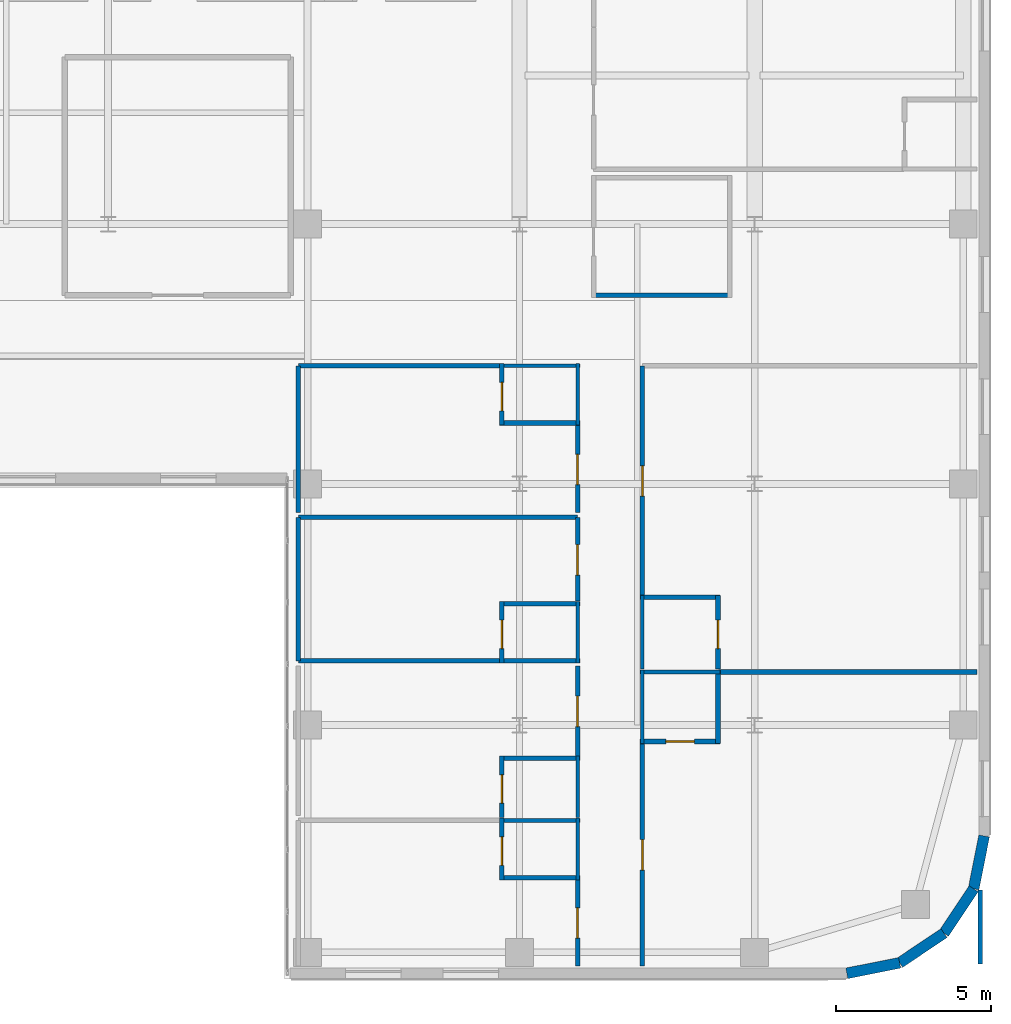
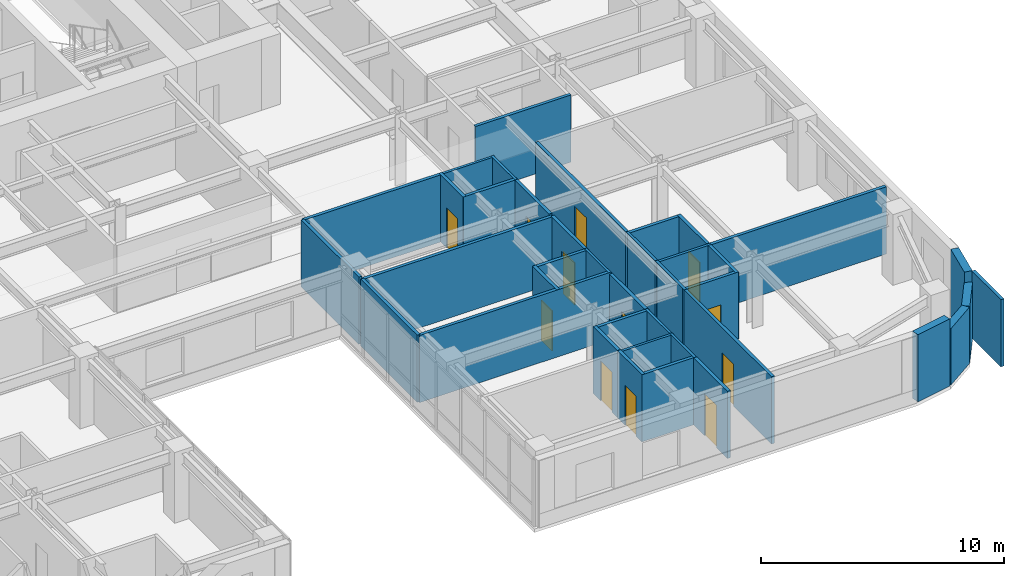
# One storey, part 16 of 24: 39 walls, 12 doors, 12 openings.
"""IFC4 building model written with IfcOpenShell, lengths in metres."""

from ifc_helpers import new_model, si_unit, direction, frame, frame_2d, origin, place, context, subcontext, project, spatial, rectangle, extrude, source, transform, mapped, material, layer, layer_set, type_object, type_shapes, element, fill, save


model = new_model("IFC4")

# Units and contexts
model_context = context("Model", 3, precision=1e-05, world=origin(), true_north=direction((0.0, 1.0)))
body_context = subcontext(model_context, "Body", "Model", "MODEL_VIEW")
ifc_project = project(units=[si_unit("LENGTHUNIT", "METRE"), si_unit("AREAUNIT", "SQUARE_METRE"), si_unit("VOLUMEUNIT", "CUBIC_METRE"), si_unit("PLANEANGLEUNIT", "RADIAN"), si_unit("MASSUNIT", "GRAM", prefix="KILO")], contexts=[model_context])

# Site, building, storey
site_placement = place(None, origin())
site = spatial("IfcSite", under=ifc_project, at=site_placement, CompositionType="ELEMENT")
building_placement = place(site_placement, origin())
building = spatial("IfcBuilding", under=site, at=building_placement, Name="Tolvann Quenvar Hotel", CompositionType="ELEMENT")
storey_placement = place(building_placement, frame((0.0, 0.0, 81.699951171875)))
storey = spatial("IfcBuildingStorey", under=building, at=storey_placement, Name="L20", CompositionType="ELEMENT", Elevation=81.699951171875)

# Walls
ifc_material_1 = material(Name="Kiln-fired red and buff architectural clay brickwork and terracotta masonry", Category="masonry")
ifc_layer_1 = layer(ifc_material_1, 0.35009765625)
ifc_layer_set_1 = layer_set([ifc_layer_1], Name="Kiln-fired red and buff architectural clay brickwork and terracotta masonry")
wall_type_1 = type_object("IfcWallType", Name="WALL_EXT_BRICK_350", PredefinedType="SOLIDWALL", material=ifc_layer_set_1)
wall_1_placement = place(storey_placement, frame((52.3828125, 0.175048828125, 0.0), z_axis=(0.0, 0.0, 1.0), x_axis=(0.980800971659, 0.195011420161, 0.0)))
element("IfcWall", 1, at=wall_1_placement, inside=storey, type_object=wall_type_1, Name="Exterior Chicago Brick Wall L20-E09", PredefinedType="SOLIDWALL", context=body_context, shape_type="SweptSolid", body=[
    extrude(rectangle(XDim=1.74267578125, YDim=0.35009765625, at=frame_2d((0.871337890625, 0.0))), origin(), (0.0, 0.0, 1.0), 3.3701171875),
])
for number, where, z_axis, x_axis, name in (
    (2, (54.092041015625, 0.514892578125, 0.0), (0.0, 0.0, 1.0), (0.831483840845, 0.55554893791, 0.0), "Exterior Chicago Brick Wall L20-E10"),
    (3, (55.526611328125, 1.473388671875, 0.0), (0.0, 0.0, 1.0), (0.55554893791, 0.831483840845, 0.0), "Exterior Chicago Brick Wall L20-E11"),
):
    element("IfcWall", number, at=place(storey_placement, frame(where, z_axis=z_axis, x_axis=x_axis)), inside=storey, type_object=wall_type_1, Name=name, PredefinedType="SOLIDWALL", context=body_context, shape_type="SweptSolid", body=[
        extrude(rectangle(XDim=1.725341796875, YDim=0.35009765625, at=frame_2d((0.86279296875, 0.0))), origin(), (0.0, 0.0, 1.0), 2.83203125),
    ])
wall_2_placement = place(storey_placement, frame((56.485107421875, 2.907958984375, 0.0), z_axis=(0.0, 0.0, 1.0), x_axis=(0.195011420161, 0.980800971659, 0.0)))
element("IfcWall", 4, at=wall_2_placement, inside=storey, type_object=wall_type_1, Name="Exterior Chicago Brick Wall L20-E12", PredefinedType="SOLIDWALL", context=body_context, shape_type="SweptSolid", body=[
    extrude(rectangle(XDim=1.74267578125, YDim=0.35009765625, at=frame_2d((0.871337890625, 0.0))), origin(), (0.0, 0.0, 1.0), 3.3701171875),
])
ifc_material_2 = material(Name="Moisture-resistant acoustic plumbing wall assembly")
ifc_layer_2 = layer(ifc_material_2, 0.1201171875)
ifc_layer_set_2 = layer_set([ifc_layer_2], Name="Moisture-resistant acoustic plumbing wall assembly")
wall_type_2 = type_object("IfcWallType", Name="WALL_PART_BATH_120", PredefinedType="PLUMBINGWALL", material=ifc_layer_set_2)
wall_3_placement = place(storey_placement, frame((41.159912109375, 5.1201171875, 0.0), z_axis=(0.0, 0.0, 1.0), x_axis=(1.0, 0.0, 0.0)))
element("IfcWall", 5, at=wall_3_placement, inside=storey, type_object=wall_type_2, Name="Non-Rated Plumbing Partition PT-SPC-L20-ENS-EI01-N", PredefinedType="PLUMBINGWALL", context=body_context, shape_type="SweptSolid", body=[
    extrude(rectangle(XDim=2.590087890625, YDim=0.1201171875, at=frame_2d((1.294921875, 0.0))), origin(), (0.0, 0.0, 1.0), 3.3701171875),
])
for number, where, z_axis, x_axis, name in (
    (6, (43.679931640625, 3.199951171875, 0.0), (0.0, 0.0, 1.0), (0.0, 1.0, 0.0), "Non-Rated Plumbing Partition PT-SPC-L20-ENS-EI01-E"),
    (7, (43.679931640625, 5.2099609375, 0.0), (0.0, 0.0, 1.0), (0.0, 1.0, 0.0), "Non-Rated Plumbing Partition PT-SPC-L20-ENS-EI02-E"),
    (8, (43.679931640625, 10.2099609375, 0.0), (0.0, 0.0, 1.0), (0.0, 1.0, 0.0), "Non-Rated Plumbing Partition PT-SPC-L20-ENS-EI03-E"),
):
    element("IfcWall", number, at=place(storey_placement, frame(where, z_axis=z_axis, x_axis=x_axis)), inside=storey, type_object=wall_type_2, Name=name, PredefinedType="PLUMBINGWALL", context=body_context, shape_type="SweptSolid", body=[
        extrude(rectangle(XDim=1.989990234375, YDim=0.1201171875, at=frame_2d((0.9951171875, 0.0))), origin(), (0.0, 0.0, 1.0), 3.3701171875),
    ])
wall_4_placement = place(storey_placement, frame((41.159912109375, 19.820068359375, 0.0), z_axis=(0.0, 0.0, 1.0), x_axis=(1.0, 0.0, 0.0)))
element("IfcWall", 9, at=wall_4_placement, inside=storey, type_object=wall_type_2, Name="Non-Rated Plumbing Partition PT-SPC-L20-ENS-EI04-N", PredefinedType="PLUMBINGWALL", context=body_context, shape_type="SweptSolid", body=[
    extrude(rectangle(XDim=2.590087890625, YDim=0.1201171875, at=frame_2d((1.294921875, 0.0))), origin(), (0.0, 0.0, 1.0), 3.3701171875),
])
wall_5_placement = place(storey_placement, frame((43.679931640625, 17.89990234375, 0.0), z_axis=(0.0, 0.0, 1.0), x_axis=(0.0, 1.0, 0.0)))
element("IfcWall", 10, at=wall_5_placement, inside=storey, type_object=wall_type_2, Name="Non-Rated Plumbing Partition PT-SPC-L20-ENS-EI04-E", PredefinedType="PLUMBINGWALL", context=body_context, shape_type="SweptSolid", body=[
    extrude(rectangle(XDim=1.989990234375, YDim=0.1201171875, at=frame_2d((0.9951171875, 0.0))), origin(), (0.0, 0.0, 1.0), 3.3701171875),
])
wall_6_placement = place(storey_placement, frame((45.699951171875, 9.919921875, 0.0), z_axis=(0.0, 0.0, 1.0), x_axis=(1.0, 0.0, 0.0)))
element("IfcWall", 11, at=wall_6_placement, inside=storey, type_object=wall_type_2, Name="Non-Rated Plumbing Partition PT-SPC-L20-ENS-EO01-N", PredefinedType="PLUMBINGWALL", context=body_context, shape_type="SweptSolid", body=[
    extrude(rectangle(XDim=2.590087890625, YDim=0.1201171875, at=frame_2d((1.294921875, 0.0))), origin(), (0.0, 0.0, 1.0), 3.3701171875),
])
for number, where, z_axis, x_axis, name in (
    (12, (45.77001953125, 7.60009765625, 0.0), (0.0, 0.0, 1.0), (0.0, 1.0, 0.0), "Non-Rated Plumbing Partition PT-SPC-L20-ENS-EO01-W"),
    (13, (45.77001953125, 10.010009765625, 0.0), (0.0, 0.0, 1.0), (0.0, 1.0, 0.0), "Non-Rated Plumbing Partition PT-SPC-L20-ENS-EO02-W"),
):
    element("IfcWall", number, at=place(storey_placement, frame(where, z_axis=z_axis, x_axis=x_axis)), inside=storey, type_object=wall_type_2, Name=name, PredefinedType="PLUMBINGWALL", context=body_context, shape_type="SweptSolid", body=[
        extrude(rectangle(XDim=2.389892578125, YDim=0.1201171875, at=frame_2d((1.19482421875, 0.0))), origin(), (0.0, 0.0, 1.0), 3.3701171875),
    ])

# Wall, opening, door
ifc_material_3 = material(Name="Acoustic twin-stud fire-rated gypsum plasterboard partition")
ifc_layer_3 = layer(ifc_material_3, 0.14990234375)
ifc_layer_set_3 = layer_set([ifc_layer_3], Name="Acoustic twin-stud fire-rated gypsum plasterboard partition")
wall_type_3 = type_object("IfcWallType", Name="WALL_PART_SUITE_150", PredefinedType="PARTITIONING", material=ifc_layer_set_3)
wall_7_placement = place(storey_placement, frame((41.22998046875, 3.199951171875, 0.0), z_axis=(0.0, 0.0, 1.0), x_axis=(0.0, 1.0, 0.0)))
wall_7 = element("IfcWall", 14, at=wall_7_placement, inside=storey, type_object=wall_type_3, Name="Interior Partition PT-SPC-L20-ENS-EI01-ENT", PredefinedType="PARTITIONING", context=body_context, shape_type="SweptSolid", body=[
    extrude(rectangle(XDim=1.989990234375, YDim=0.14990234375, at=frame_2d((0.9951171875, 0.0))), origin(), (0.0, 0.0, 1.0), 3.3701171875),
])
opening_1_placement = place(wall_7_placement, frame((0.465087890625, 0.0, 0.0)))
opening_1 = element("IfcOpeningElement", 15, at=opening_1_placement, cuts=wall_7, Name="Opening WD-01", PredefinedType="OPENING", context=body_context, shape_type="SweptSolid", body=[
    extrude(rectangle(XDim=0.919921875, YDim=2.010009765625, at=frame_2d((0.4599609375, 1.0048828125))), frame((0.0, 0.0849609375, 0.0), z_axis=(0.0, -1.0, 0.0), x_axis=(1.0, 0.0, 0.0)), (0.0, 0.0, 1.0), 0.169921875),
])
ifc_material_4 = material(Name="Solid-core American oak acoustic fire door leaf in steel frame", Category="steel")
door_type_1 = type_object("IfcDoorType", Name="DOOR_WC_920", OperationType="NOTDEFINED", PredefinedType="DOOR", material=ifc_material_4)
shared_shape_1 = source(origin(), body_context, "Body", "SweptSolid", [
    extrude(rectangle(XDim=0.919921875, YDim=2.010009765625, at=frame_2d((0.4599609375, 1.0048828125))), frame((0.0, 0.02490234375, 0.0), z_axis=(0.0, -1.0, 0.0), x_axis=(1.0, 0.0, 0.0)), (0.0, 0.0, 1.0), 0.050048828125),
])
type_shapes(door_type_1, [shared_shape_1])
door_1_placement = place(opening_1_placement, origin())
door_1 = element("IfcDoor", 16, at=door_1_placement, inside=storey, type_object=door_type_1, Name="Interior Door DOOR-SPC-L20-ENS-EI01", OperationType="SINGLE_SWING_LEFT", OverallHeight=2.010009765625, OverallWidth=0.919921875, PredefinedType="DOOR", context=body_context, shape_type="MappedRepresentation", body=[
    mapped(shared_shape_1, transform((0.0, 0.0, 0.0), x_axis=(1.0, 0.0, 0.0), y_axis=(0.0, 1.0, 0.0), z_axis=(0.0, 0.0, 1.0), scale=1.0)),
])
fill(opening_1, door_1)

# Wall
wall_8_placement = place(storey_placement, frame((41.159912109375, 3.27001953125, 0.0), z_axis=(0.0, 0.0, 1.0), x_axis=(1.0, 0.0, 0.0)))
element("IfcWall", 17, at=wall_8_placement, inside=storey, type_object=wall_type_3, Name="Interior Partition PT-SPC-L20-ENS-EI01-S", PredefinedType="PARTITIONING", context=body_context, shape_type="SweptSolid", body=[
    extrude(rectangle(XDim=2.590087890625, YDim=0.14990234375, at=frame_2d((1.294921875, 0.0))), origin(), (0.0, 0.0, 1.0), 3.3701171875),
])

# Wall, opening, door
wall_9_placement = place(storey_placement, frame((41.22998046875, 5.2099609375, 0.0), z_axis=(0.0, 0.0, 1.0), x_axis=(0.0, 1.0, 0.0)))
wall_9 = element("IfcWall", 18, at=wall_9_placement, inside=storey, type_object=wall_type_3, Name="Interior Partition PT-SPC-L20-ENS-EI02-ENT", PredefinedType="PARTITIONING", context=body_context, shape_type="SweptSolid", body=[
    extrude(rectangle(XDim=1.989990234375, YDim=0.14990234375, at=frame_2d((0.9951171875, 0.0))), origin(), (0.0, 0.0, 1.0), 3.3701171875),
])
opening_2_placement = place(wall_9_placement, frame((0.465087890625, 0.0, 0.0)))
opening_2 = element("IfcOpeningElement", 19, at=opening_2_placement, cuts=wall_9, Name="Opening WD-01", PredefinedType="OPENING", context=body_context, shape_type="SweptSolid", body=[
    extrude(rectangle(XDim=0.919921875, YDim=2.010009765625, at=frame_2d((0.4599609375, 1.0048828125))), frame((0.0, 0.0849609375, 0.0), z_axis=(0.0, -1.0, 0.0), x_axis=(1.0, 0.0, 0.0)), (0.0, 0.0, 1.0), 0.169921875),
])
door_2_placement = place(opening_2_placement, origin())
door_2 = element("IfcDoor", 20, at=door_2_placement, inside=storey, type_object=door_type_1, Name="Interior Door DOOR-SPC-L20-ENS-EI02", OperationType="SINGLE_SWING_RIGHT", OverallHeight=2.010009765625, OverallWidth=0.919921875, PredefinedType="DOOR", context=body_context, shape_type="MappedRepresentation", body=[
    mapped(shared_shape_1, transform((0.0, 0.0, 0.0), x_axis=(1.0, 0.0, 0.0), y_axis=(0.0, 1.0, 0.0), z_axis=(0.0, 0.0, 1.0), scale=1.0)),
])
fill(opening_2, door_2)

# Wall
wall_10_placement = place(storey_placement, frame((41.159912109375, 7.1298828125, 0.0), z_axis=(0.0, 0.0, 1.0), x_axis=(1.0, 0.0, 0.0)))
element("IfcWall", 21, at=wall_10_placement, inside=storey, type_object=wall_type_3, Name="Interior Partition PT-SPC-L20-ENS-EI02-N", PredefinedType="PARTITIONING", context=body_context, shape_type="SweptSolid", body=[
    extrude(rectangle(XDim=2.590087890625, YDim=0.14990234375, at=frame_2d((1.294921875, 0.0))), origin(), (0.0, 0.0, 1.0), 3.3701171875),
])

# Wall, opening, door
wall_11_placement = place(storey_placement, frame((41.22998046875, 10.2099609375, 0.0), z_axis=(0.0, 0.0, 1.0), x_axis=(0.0, 1.0, 0.0)))
wall_11 = element("IfcWall", 22, at=wall_11_placement, inside=storey, type_object=wall_type_3, Name="Interior Partition PT-SPC-L20-ENS-EI03-ENT", PredefinedType="PARTITIONING", context=body_context, shape_type="SweptSolid", body=[
    extrude(rectangle(XDim=1.989990234375, YDim=0.14990234375, at=frame_2d((0.9951171875, 0.0))), origin(), (0.0, 0.0, 1.0), 3.3701171875),
])
opening_3_placement = place(wall_11_placement, frame((0.465087890625, 0.0, 0.0)))
opening_3 = element("IfcOpeningElement", 23, at=opening_3_placement, cuts=wall_11, Name="Opening WD-01", PredefinedType="OPENING", context=body_context, shape_type="SweptSolid", body=[
    extrude(rectangle(XDim=0.919921875, YDim=2.010009765625, at=frame_2d((0.4599609375, 1.0048828125))), frame((0.0, 0.0849609375, 0.0), z_axis=(0.0, -1.0, 0.0), x_axis=(1.0, 0.0, 0.0)), (0.0, 0.0, 1.0), 0.169921875),
])
door_3_placement = place(opening_3_placement, origin())
door_3 = element("IfcDoor", 24, at=door_3_placement, inside=storey, type_object=door_type_1, Name="Interior Door DOOR-SPC-L20-ENS-EI03", OperationType="SINGLE_SWING_LEFT", OverallHeight=2.010009765625, OverallWidth=0.919921875, PredefinedType="DOOR", context=body_context, shape_type="MappedRepresentation", body=[
    mapped(shared_shape_1, transform((0.0, 0.0, 0.0), x_axis=(1.0, 0.0, 0.0), y_axis=(0.0, 1.0, 0.0), z_axis=(0.0, 0.0, 1.0), scale=1.0)),
])
fill(opening_3, door_3)

# Walls
wall_12_placement = place(storey_placement, frame((34.64990234375, 10.280029296875, 0.0), z_axis=(0.0, 0.0, 1.0), x_axis=(1.0, 0.0, 0.0)))
element("IfcWall", 25, at=wall_12_placement, inside=storey, type_object=wall_type_3, Name="Interior Partition PT-SPC-L20-ENS-EI03-S", PredefinedType="PARTITIONING", context=body_context, shape_type="SweptSolid", body=[
    extrude(rectangle(XDim=9.10009765625, YDim=0.14990234375, at=frame_2d((4.550048828125, 0.0))), origin(), (0.0, 0.0, 1.0), 3.3701171875),
])
wall_13_placement = place(storey_placement, frame((41.159912109375, 12.1298828125, 0.0), z_axis=(0.0, 0.0, 1.0), x_axis=(1.0, 0.0, 0.0)))
element("IfcWall", 26, at=wall_13_placement, inside=storey, type_object=wall_type_3, Name="Interior Partition PT-SPC-L20-ENS-EI03-N", PredefinedType="PARTITIONING", context=body_context, shape_type="SweptSolid", body=[
    extrude(rectangle(XDim=2.590087890625, YDim=0.14990234375, at=frame_2d((1.294921875, 0.0))), origin(), (0.0, 0.0, 1.0), 3.3701171875),
])

# Wall, opening, door
wall_14_placement = place(storey_placement, frame((41.22998046875, 17.89990234375, 0.0), z_axis=(0.0, 0.0, 1.0), x_axis=(0.0, 1.0, 0.0)))
wall_14 = element("IfcWall", 27, at=wall_14_placement, inside=storey, type_object=wall_type_3, Name="Interior Partition PT-SPC-L20-ENS-EI04-ENT", PredefinedType="PARTITIONING", context=body_context, shape_type="SweptSolid", body=[
    extrude(rectangle(XDim=1.989990234375, YDim=0.14990234375, at=frame_2d((0.9951171875, 0.0))), origin(), (0.0, 0.0, 1.0), 3.3701171875),
])
opening_4_placement = place(wall_14_placement, frame((0.465087890625, 0.0, 0.0)))
opening_4 = element("IfcOpeningElement", 28, at=opening_4_placement, cuts=wall_14, Name="Opening WD-01", PredefinedType="OPENING", context=body_context, shape_type="SweptSolid", body=[
    extrude(rectangle(XDim=0.919921875, YDim=2.010009765625, at=frame_2d((0.4599609375, 1.0048828125))), frame((0.0, 0.0849609375, 0.0), z_axis=(0.0, -1.0, 0.0), x_axis=(1.0, 0.0, 0.0)), (0.0, 0.0, 1.0), 0.169921875),
])
door_4_placement = place(opening_4_placement, origin())
door_4 = element("IfcDoor", 29, at=door_4_placement, inside=storey, type_object=door_type_1, Name="Interior Door DOOR-SPC-L20-ENS-EI04", OperationType="SINGLE_SWING_RIGHT", OverallHeight=2.010009765625, OverallWidth=0.919921875, PredefinedType="DOOR", context=body_context, shape_type="MappedRepresentation", body=[
    mapped(shared_shape_1, transform((0.0, 0.0, 0.0), x_axis=(1.0, 0.0, 0.0), y_axis=(0.0, 1.0, 0.0), z_axis=(0.0, 0.0, 1.0), scale=1.0)),
])
fill(opening_4, door_4)

# Walls
wall_15_placement = place(storey_placement, frame((41.159912109375, 17.969970703125, 0.0), z_axis=(0.0, 0.0, 1.0), x_axis=(1.0, 0.0, 0.0)))
element("IfcWall", 30, at=wall_15_placement, inside=storey, type_object=wall_type_3, Name="Interior Partition PT-SPC-L20-ENS-EI04-S", PredefinedType="PARTITIONING", context=body_context, shape_type="SweptSolid", body=[
    extrude(rectangle(XDim=2.590087890625, YDim=0.14990234375, at=frame_2d((1.294921875, 0.0))), origin(), (0.0, 0.0, 1.0), 3.3701171875),
])
wall_16_placement = place(storey_placement, frame((48.219970703125, 7.60009765625, 0.0), z_axis=(0.0, 0.0, 1.0), x_axis=(0.0, 1.0, 0.0)))
element("IfcWall", 31, at=wall_16_placement, inside=storey, type_object=wall_type_3, Name="Interior Partition PT-SPC-L20-ENS-EO01-ENT", PredefinedType="PARTITIONING", context=body_context, shape_type="SweptSolid", body=[
    extrude(rectangle(XDim=2.389892578125, YDim=0.14990234375, at=frame_2d((1.19482421875, 0.0))), origin(), (0.0, 0.0, 1.0), 3.3701171875),
])

# Wall, opening, door
wall_17_placement = place(storey_placement, frame((45.699951171875, 7.669921875, 0.0), z_axis=(0.0, 0.0, 1.0), x_axis=(1.0, 0.0, 0.0)))
wall_17 = element("IfcWall", 32, at=wall_17_placement, inside=storey, type_object=wall_type_3, Name="Interior Partition PT-SPC-L20-ENS-EO01-S", PredefinedType="PARTITIONING", context=body_context, shape_type="SweptSolid", body=[
    extrude(rectangle(XDim=2.590087890625, YDim=0.14990234375, at=frame_2d((1.294921875, 0.0))), origin(), (0.0, 0.0, 1.0), 3.3701171875),
])
opening_5_placement = place(wall_17_placement, frame((0.8349609375, 0.0, 0.0)))
opening_5 = element("IfcOpeningElement", 33, at=opening_5_placement, cuts=wall_17, Name="Opening WD-01", PredefinedType="OPENING", context=body_context, shape_type="SweptSolid", body=[
    extrude(rectangle(XDim=0.919921875, YDim=2.010009765625, at=frame_2d((0.4599609375, 1.0048828125))), frame((0.0, 0.0849609375, 0.0), z_axis=(0.0, -1.0, 0.0), x_axis=(1.0, 0.0, 0.0)), (0.0, 0.0, 1.0), 0.169921875),
])
door_5_placement = place(opening_5_placement, origin())
door_5 = element("IfcDoor", 34, at=door_5_placement, inside=storey, type_object=door_type_1, Name="Interior Door DOOR-SPC-L20-ENS-EO01", OperationType="SINGLE_SWING_LEFT", OverallHeight=2.010009765625, OverallWidth=0.919921875, PredefinedType="DOOR", context=body_context, shape_type="MappedRepresentation", body=[
    mapped(shared_shape_1, transform((0.0, 0.0, 0.0), x_axis=(1.0, 0.0, 0.0), y_axis=(0.0, 1.0, 0.0), z_axis=(0.0, 0.0, 1.0), scale=1.0)),
])
fill(opening_5, door_5)

wall_18_placement = place(storey_placement, frame((48.219970703125, 10.010009765625, 0.0), z_axis=(0.0, 0.0, 1.0), x_axis=(0.0, 1.0, 0.0)))
wall_18 = element("IfcWall", 35, at=wall_18_placement, inside=storey, type_object=wall_type_3, Name="Interior Partition PT-SPC-L20-ENS-EO02-ENT", PredefinedType="PARTITIONING", context=body_context, shape_type="SweptSolid", body=[
    extrude(rectangle(XDim=2.389892578125, YDim=0.14990234375, at=frame_2d((1.19482421875, 0.0))), origin(), (0.0, 0.0, 1.0), 3.3701171875),
])
opening_6_placement = place(wall_18_placement, frame((0.6650390625, 0.0, 0.0)))
opening_6 = element("IfcOpeningElement", 36, at=opening_6_placement, cuts=wall_18, Name="Opening WD-01", PredefinedType="OPENING", context=body_context, shape_type="SweptSolid", body=[
    extrude(rectangle(XDim=0.919921875, YDim=2.010009765625, at=frame_2d((0.4599609375, 1.0048828125))), frame((0.0, 0.0849609375, 0.0), z_axis=(0.0, -1.0, 0.0), x_axis=(1.0, 0.0, 0.0)), (0.0, 0.0, 1.0), 0.169921875),
])
door_6_placement = place(opening_6_placement, origin())
door_6 = element("IfcDoor", 37, at=door_6_placement, inside=storey, type_object=door_type_1, Name="Interior Door DOOR-SPC-L20-ENS-EO02", OperationType="SINGLE_SWING_RIGHT", OverallHeight=2.010009765625, OverallWidth=0.919921875, PredefinedType="DOOR", context=body_context, shape_type="MappedRepresentation", body=[
    mapped(shared_shape_1, transform((0.0, 0.0, 0.0), x_axis=(1.0, 0.0, 0.0), y_axis=(0.0, 1.0, 0.0), z_axis=(0.0, 0.0, 1.0), scale=1.0)),
])
fill(opening_6, door_6)

# Wall
wall_19_placement = place(storey_placement, frame((45.699951171875, 12.330078125, 0.0), z_axis=(0.0, 0.0, 1.0), x_axis=(1.0, 0.0, 0.0)))
element("IfcWall", 38, at=wall_19_placement, inside=storey, type_object=wall_type_3, Name="Interior Partition PT-SPC-L20-ENS-EO02-N", PredefinedType="PARTITIONING", context=body_context, shape_type="SweptSolid", body=[
    extrude(rectangle(XDim=2.590087890625, YDim=0.14990234375, at=frame_2d((1.294921875, 0.0))), origin(), (0.0, 0.0, 1.0), 3.3701171875),
])

# Wall, opening, door
wall_20_placement = place(storey_placement, frame((43.679931640625, 0.405029296875, 0.0), z_axis=(0.0, 0.0, 1.0), x_axis=(0.0, 1.0, 0.0)))
wall_20 = element("IfcWall", 39, at=wall_20_placement, inside=storey, type_object=wall_type_3, Name="Interior Partition PT-SPC-L20-RM-EI01-ENT", PredefinedType="PARTITIONING", context=body_context, shape_type="SweptSolid", body=[
    extrude(rectangle(XDim=2.784912109375, YDim=0.14990234375, at=frame_2d((1.392578125, 0.0))), origin(), (0.0, 0.0, 1.0), 3.3701171875),
])
opening_7_placement = place(wall_20_placement, frame((0.909912109375, 0.0, 0.0)))
opening_7 = element("IfcOpeningElement", 40, at=opening_7_placement, cuts=wall_20, Name="Opening SD-01", PredefinedType="OPENING", context=body_context, shape_type="SweptSolid", body=[
    extrude(rectangle(XDim=0.97998046875, YDim=2.1201171875, at=frame_2d((0.489990234375, 1.06005859375))), frame((0.0, 0.0849609375, 0.0), z_axis=(0.0, -1.0, 0.0), x_axis=(1.0, 0.0, 0.0)), (0.0, 0.0, 1.0), 0.169921875),
])
door_type_2 = type_object("IfcDoorType", Name="DOOR_SUITE_980", OperationType="NOTDEFINED", PredefinedType="DOOR", material=ifc_material_4)
shared_shape_2 = source(origin(), body_context, "Body", "SweptSolid", [
    extrude(rectangle(XDim=0.97998046875, YDim=2.1201171875, at=frame_2d((0.489990234375, 1.06005859375))), frame((0.0, 0.02490234375, 0.0), z_axis=(0.0, -1.0, 0.0), x_axis=(1.0, 0.0, 0.0)), (0.0, 0.0, 1.0), 0.050048828125),
])
type_shapes(door_type_2, [shared_shape_2])
door_7_placement = place(opening_7_placement, origin())
door_7 = element("IfcDoor", 41, at=door_7_placement, inside=storey, type_object=door_type_2, Name="Interior Door DOOR-SPC-L20-RM-EI01", OperationType="SINGLE_SWING_LEFT", OverallHeight=2.1201171875, OverallWidth=0.97998046875, PredefinedType="DOOR", context=body_context, shape_type="MappedRepresentation", body=[
    mapped(shared_shape_2, transform((0.0, 0.0, 0.0), x_axis=(1.0, 0.0, 0.0), y_axis=(0.0, 1.0, 0.0), z_axis=(0.0, 0.0, 1.0), scale=1.0)),
])
fill(opening_7, door_7)

wall_21_placement = place(storey_placement, frame((43.679931640625, 7.2099609375, 0.0), z_axis=(0.0, 0.0, 1.0), x_axis=(0.0, 1.0, 0.0)))
wall_21 = element("IfcWall", 42, at=wall_21_placement, inside=storey, type_object=wall_type_3, Name="Interior Partition PT-SPC-L20-RM-EI02-ENT", PredefinedType="PARTITIONING", context=body_context, shape_type="SweptSolid", body=[
    extrude(rectangle(XDim=2.91015625, YDim=0.14990234375, at=frame_2d((1.455078125, 0.0))), origin(), (0.0, 0.0, 1.0), 3.3701171875),
])
opening_8_placement = place(wall_21_placement, frame((0.945068359375, 0.0, 0.0)))
opening_8 = element("IfcOpeningElement", 43, at=opening_8_placement, cuts=wall_21, Name="Opening SD-01", PredefinedType="OPENING", context=body_context, shape_type="SweptSolid", body=[
    extrude(rectangle(XDim=0.97998046875, YDim=2.1201171875, at=frame_2d((0.489990234375, 1.06005859375))), frame((0.0, 0.0849609375, 0.0), z_axis=(0.0, -1.0, 0.0), x_axis=(1.0, 0.0, 0.0)), (0.0, 0.0, 1.0), 0.169921875),
])
door_8_placement = place(opening_8_placement, origin())
door_8 = element("IfcDoor", 44, at=door_8_placement, inside=storey, type_object=door_type_2, Name="Interior Door DOOR-SPC-L20-RM-EI02", OperationType="SINGLE_SWING_RIGHT", OverallHeight=2.1201171875, OverallWidth=0.97998046875, PredefinedType="DOOR", context=body_context, shape_type="MappedRepresentation", body=[
    mapped(shared_shape_2, transform((0.0, 0.0, 0.0), x_axis=(1.0, 0.0, 0.0), y_axis=(0.0, 1.0, 0.0), z_axis=(0.0, 0.0, 1.0), scale=1.0)),
])
fill(opening_8, door_8)

wall_22_placement = place(storey_placement, frame((43.679931640625, 12.2099609375, 0.0), z_axis=(0.0, 0.0, 1.0), x_axis=(0.0, 1.0, 0.0)))
wall_22 = element("IfcWall", 45, at=wall_22_placement, inside=storey, type_object=wall_type_3, Name="Interior Partition PT-SPC-L20-RM-EI03-ENT", PredefinedType="PARTITIONING", context=body_context, shape_type="SweptSolid", body=[
    extrude(rectangle(XDim=2.7099609375, YDim=0.14990234375, at=frame_2d((1.35498046875, 0.0))), origin(), (0.0, 0.0, 1.0), 3.3701171875),
])
opening_9_placement = place(wall_22_placement, frame((0.844970703125, 0.0, 0.0)))
opening_9 = element("IfcOpeningElement", 46, at=opening_9_placement, cuts=wall_22, Name="Opening SD-01", PredefinedType="OPENING", context=body_context, shape_type="SweptSolid", body=[
    extrude(rectangle(XDim=0.97998046875, YDim=2.1201171875, at=frame_2d((0.489990234375, 1.06005859375))), frame((0.0, 0.0849609375, 0.0), z_axis=(0.0, -1.0, 0.0), x_axis=(1.0, 0.0, 0.0)), (0.0, 0.0, 1.0), 0.169921875),
])
door_9_placement = place(opening_9_placement, origin())
door_9 = element("IfcDoor", 47, at=door_9_placement, inside=storey, type_object=door_type_2, Name="Interior Door DOOR-SPC-L20-RM-EI03", OperationType="SINGLE_SWING_LEFT", OverallHeight=2.1201171875, OverallWidth=0.97998046875, PredefinedType="DOOR", context=body_context, shape_type="MappedRepresentation", body=[
    mapped(shared_shape_2, transform((0.0, 0.0, 0.0), x_axis=(1.0, 0.0, 0.0), y_axis=(0.0, 1.0, 0.0), z_axis=(0.0, 0.0, 1.0), scale=1.0)),
])
fill(opening_9, door_9)

# Walls
wall_23_placement = place(storey_placement, frame((34.64990234375, 14.919921875, 0.0), z_axis=(0.0, 0.0, 1.0), x_axis=(1.0, 0.0, 0.0)))
element("IfcWall", 48, at=wall_23_placement, inside=storey, type_object=wall_type_3, Name="Interior Partition PT-SPC-L20-RM-EI03-E5", PredefinedType="PARTITIONING", context=body_context, shape_type="SweptSolid", body=[
    extrude(rectangle(XDim=9.030029296875, YDim=0.14990234375, at=frame_2d((4.51513671875, 0.0))), origin(), (0.0, 0.0, 1.0), 3.3701171875),
])
wall_24_placement = place(storey_placement, frame((34.64990234375, 10.280029296875, 0.0), z_axis=(0.0, 0.0, 1.0), x_axis=(0.0, 1.0, 0.0)))
element("IfcWall", 49, at=wall_24_placement, inside=storey, type_object=wall_type_3, Name="Interior Partition PT-SPC-L20-RM-EI03-E6", PredefinedType="PARTITIONING", context=body_context, shape_type="SweptSolid", body=[
    extrude(rectangle(XDim=4.639892578125, YDim=0.14990234375, at=frame_2d((2.31982421875, 0.0))), origin(), (0.0, 0.0, 1.0), 3.3701171875),
])

# Wall, opening, door
wall_25_placement = place(storey_placement, frame((43.679931640625, 15.080078125, 0.0), z_axis=(0.0, 0.0, 1.0), x_axis=(0.0, 1.0, 0.0)))
wall_25 = element("IfcWall", 50, at=wall_25_placement, inside=storey, type_object=wall_type_3, Name="Interior Partition PT-SPC-L20-RM-EI04-ENT", PredefinedType="PARTITIONING", context=body_context, shape_type="SweptSolid", body=[
    extrude(rectangle(XDim=2.809814453125, YDim=0.14990234375, at=frame_2d((1.40478515625, 0.0))), origin(), (0.0, 0.0, 1.0), 3.3701171875),
])
opening_10_placement = place(wall_25_placement, frame((0.89501953125, 0.0, 0.0)))
opening_10 = element("IfcOpeningElement", 51, at=opening_10_placement, cuts=wall_25, Name="Opening SD-01", PredefinedType="OPENING", context=body_context, shape_type="SweptSolid", body=[
    extrude(rectangle(XDim=0.97998046875, YDim=2.1201171875, at=frame_2d((0.489990234375, 1.06005859375))), frame((0.0, 0.0849609375, 0.0), z_axis=(0.0, -1.0, 0.0), x_axis=(1.0, 0.0, 0.0)), (0.0, 0.0, 1.0), 0.169921875),
])
door_10_placement = place(opening_10_placement, origin())
door_10 = element("IfcDoor", 52, at=door_10_placement, inside=storey, type_object=door_type_2, Name="Interior Door DOOR-SPC-L20-RM-EI04", OperationType="SINGLE_SWING_RIGHT", OverallHeight=2.1201171875, OverallWidth=0.97998046875, PredefinedType="DOOR", context=body_context, shape_type="MappedRepresentation", body=[
    mapped(shared_shape_2, transform((0.0, 0.0, 0.0), x_axis=(1.0, 0.0, 0.0), y_axis=(0.0, 1.0, 0.0), z_axis=(0.0, 0.0, 1.0), scale=1.0)),
])
fill(opening_10, door_10)

# Walls
wall_26_placement = place(storey_placement, frame((34.64990234375, 19.820068359375, 0.0), z_axis=(0.0, 0.0, 1.0), x_axis=(1.0, 0.0, 0.0)))
element("IfcWall", 53, at=wall_26_placement, inside=storey, type_object=wall_type_3, Name="Interior Partition PT-SPC-L20-RM-EI04-E5", PredefinedType="PARTITIONING", context=body_context, shape_type="SweptSolid", body=[
    extrude(rectangle(XDim=6.56005859375, YDim=0.14990234375, at=frame_2d((3.280029296875, 0.0))), origin(), (0.0, 0.0, 1.0), 3.3701171875),
])
wall_27_placement = place(storey_placement, frame((34.64990234375, 15.080078125, 0.0), z_axis=(0.0, 0.0, 1.0), x_axis=(0.0, 1.0, 0.0)))
element("IfcWall", 54, at=wall_27_placement, inside=storey, type_object=wall_type_3, Name="Interior Partition PT-SPC-L20-RM-EI04-E6", PredefinedType="PARTITIONING", context=body_context, shape_type="SweptSolid", body=[
    extrude(rectangle(XDim=4.739990234375, YDim=0.14990234375, at=frame_2d((2.3701171875, 0.0))), origin(), (0.0, 0.0, 1.0), 3.3701171875),
])

# Wall, opening, door
wall_28_placement = place(storey_placement, frame((45.77001953125, 0.405029296875, 0.0), z_axis=(0.0, 0.0, 1.0), x_axis=(0.0, 1.0, 0.0)))
wall_28 = element("IfcWall", 55, at=wall_28_placement, inside=storey, type_object=wall_type_3, Name="Interior Partition PT-SPC-L20-RM-EO01-ENT", PredefinedType="PARTITIONING", context=body_context, shape_type="SweptSolid", body=[
    extrude(rectangle(XDim=7.18505859375, YDim=0.14990234375, at=frame_2d((3.592529296875, 0.0))), origin(), (0.0, 0.0, 1.0), 3.3701171875),
])
opening_11_placement = place(wall_28_placement, frame((3.110107421875, 0.0, 0.0)))
opening_11 = element("IfcOpeningElement", 56, at=opening_11_placement, cuts=wall_28, Name="Opening SD-01", PredefinedType="OPENING", context=body_context, shape_type="SweptSolid", body=[
    extrude(rectangle(XDim=0.97998046875, YDim=2.1201171875, at=frame_2d((0.489990234375, 1.06005859375))), frame((0.0, 0.0849609375, 0.0), z_axis=(0.0, -1.0, 0.0), x_axis=(1.0, 0.0, 0.0)), (0.0, 0.0, 1.0), 0.169921875),
])
door_11_placement = place(opening_11_placement, origin())
door_11 = element("IfcDoor", 57, at=door_11_placement, inside=storey, type_object=door_type_2, Name="Interior Door DOOR-SPC-L20-RM-EO01", OperationType="SINGLE_SWING_LEFT", OverallHeight=2.1201171875, OverallWidth=0.97998046875, PredefinedType="DOOR", context=body_context, shape_type="MappedRepresentation", body=[
    mapped(shared_shape_2, transform((0.0, 0.0, 0.0), x_axis=(1.0, 0.0, 0.0), y_axis=(0.0, 1.0, 0.0), z_axis=(0.0, 0.0, 1.0), scale=1.0)),
])
fill(opening_11, door_11)

# Walls
wall_29_placement = place(storey_placement, frame((56.699951171875, 0.47998046875, 0.0), z_axis=(0.0, 0.0, 1.0), x_axis=(0.0, 1.0, 0.0)))
element("IfcWall", 58, at=wall_29_placement, inside=storey, type_object=wall_type_3, Name="Interior Partition PT-SPC-L20-RM-EO01-E2", PredefinedType="PARTITIONING", context=body_context, shape_type="SweptSolid", body=[
    extrude(rectangle(XDim=2.385009765625, YDim=0.14990234375, at=frame_2d((1.1923828125, 0.0))), origin(), (0.0, 0.0, 1.0), 3.3701171875),
])
wall_30_placement = place(storey_placement, frame((48.239990234375, 9.919921875, 0.0), z_axis=(0.0, 0.0, 1.0), x_axis=(1.0, 0.0, 0.0)))
element("IfcWall", 59, at=wall_30_placement, inside=storey, type_object=wall_type_3, Name="Interior Partition PT-SPC-L20-RM-EO01-E3", PredefinedType="PARTITIONING", context=body_context, shape_type="SweptSolid", body=[
    extrude(rectangle(XDim=8.35498046875, YDim=0.14990234375, at=frame_2d((4.177490234375, 0.0))), origin(), (0.0, 0.0, 1.0), 3.3701171875),
])

# Wall, opening, door
wall_31_placement = place(storey_placement, frame((45.77001953125, 12.409912109375, 0.0), z_axis=(0.0, 0.0, 1.0), x_axis=(0.0, 1.0, 0.0)))
wall_31 = element("IfcWall", 60, at=wall_31_placement, inside=storey, type_object=wall_type_3, Name="Interior Partition PT-SPC-L20-RM-EO02-ENT", PredefinedType="PARTITIONING", context=body_context, shape_type="SweptSolid", body=[
    extrude(rectangle(XDim=7.41015625, YDim=0.14990234375, at=frame_2d((3.705078125, 0.0))), origin(), (0.0, 0.0, 1.0), 3.3701171875),
])
opening_12_placement = place(wall_31_placement, frame((3.195068359375, 0.0, 0.0)))
opening_12 = element("IfcOpeningElement", 61, at=opening_12_placement, cuts=wall_31, Name="Opening SD-01", PredefinedType="OPENING", context=body_context, shape_type="SweptSolid", body=[
    extrude(rectangle(XDim=0.97998046875, YDim=2.1201171875, at=frame_2d((0.489990234375, 1.06005859375))), frame((0.0, 0.0849609375, 0.0), z_axis=(0.0, -1.0, 0.0), x_axis=(1.0, 0.0, 0.0)), (0.0, 0.0, 1.0), 0.169921875),
])
door_12_placement = place(opening_12_placement, origin())
door_12 = element("IfcDoor", 62, at=door_12_placement, inside=storey, type_object=door_type_2, Name="Interior Door DOOR-SPC-L20-RM-EO02", OperationType="SINGLE_SWING_RIGHT", OverallHeight=2.1201171875, OverallWidth=0.97998046875, PredefinedType="DOOR", context=body_context, shape_type="MappedRepresentation", body=[
    mapped(shared_shape_2, transform((0.0, 0.0, 0.0), x_axis=(1.0, 0.0, 0.0), y_axis=(0.0, 1.0, 0.0), z_axis=(0.0, 0.0, 1.0), scale=1.0)),
])
fill(opening_12, door_12)

# Wall
wall_32_placement = place(storey_placement, frame((44.1298828125, 22.10009765625, 0.0), z_axis=(0.0, 0.0, 1.0), x_axis=(1.0, 0.0, 0.0)))
element("IfcWall", 63, at=wall_32_placement, inside=storey, type_object=wall_type_3, Name="Interior Partition PT-SPC-L20-WCA-S", PredefinedType="PARTITIONING", context=body_context, shape_type="SweptSolid", body=[
    extrude(rectangle(XDim=4.5400390625, YDim=0.14990234375, at=frame_2d((2.27001953125, 0.0))), origin(), (0.0, 0.0, 1.0), 3.3701171875),
])

save(model, "model.ifc")
